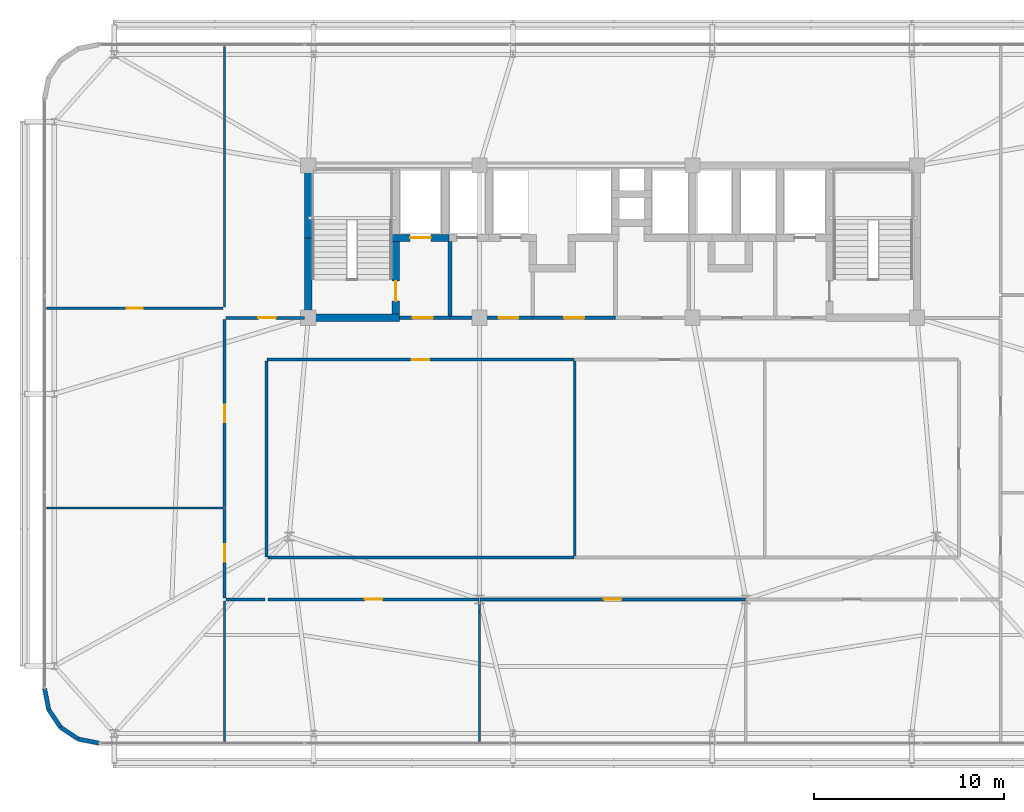
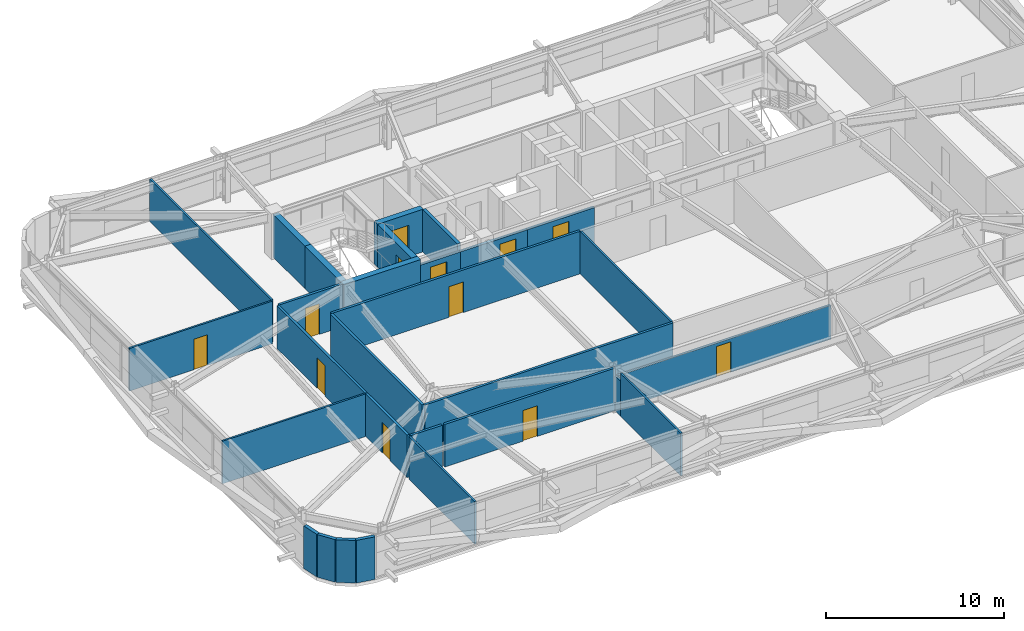
# One storey, part 39 of 44: 29 walls, 12 doors, 12 openings.
"""IFC4 building model written with IfcOpenShell, lengths in metres."""

import ifcopenshell
import ifcopenshell.guid

model = None  # the IFC model being written
_history = None  # IfcOwnerHistory: only IFC2X3 demands one
_inside = {}  # id of a spatial element -> (the spatial element, [elements in it])
_under = {}  # id of a project, library or spatial element -> (it, [spatial elements below it])
_declared = {}  # id of a project -> (the project, [libraries it declares])
_typed = {}  # id of a type object -> (the type object, [elements of that type])
_made_of = {}  # id of a material, layer set ... -> (it, [elements and type objects made of it])


def new_model(schema):
    """Start an empty IFC model of exactly this schema.

    Asked for "IFC4X3", IfcOpenShell would pick the latest addendum, in which some entities
    have other attributes; the version numbers below select the first issue.
    IFC2X3 requires an IfcOwnerHistory on every rooted entity: one is made here for all.
    """
    global model, _history
    if schema == "IFC4X3":
        model = ifcopenshell.file(schema_version=(4, 3, 0, 0))
    else:
        model = ifcopenshell.file(schema=schema)
    _inside.clear()
    _under.clear()
    _declared.clear()
    _typed.clear()
    _made_of.clear()
    _history = None
    if model.schema == "IFC2X3":
        org = make("IfcOrganization", Name="unknown")
        user = make(
            "IfcPersonAndOrganization",
            ThePerson=make("IfcPerson", FamilyName="unknown"),
            TheOrganization=org,
        )
        app = make(
            "IfcApplication",
            ApplicationDeveloper=org,
            Version="unknown",
            ApplicationFullName="unknown",
            ApplicationIdentifier="unknown",
        )
        _history = make(
            "IfcOwnerHistory",
            OwningUser=user,
            OwningApplication=app,
            ChangeAction="ADDED",
            CreationDate=0,
        )
    return model


def make(cls, **values):
    """One entity of the class cls with the attributes given. An attribute that is None is left unset."""
    return model.create_entity(
        cls, **{name: value for name, value in values.items() if value is not None}
    )


def rooted(cls, **values):
    """An entity with a GlobalId (a new one), such as an element, a storey or a relation."""
    return make(cls, GlobalId=ifcopenshell.guid.new(), OwnerHistory=_history, **values)


def si_unit(unit_type, name, prefix=None):
    """IfcSIUnit, for example si_unit("LENGTHUNIT", "METRE", prefix="MILLI")."""
    return make("IfcSIUnit", UnitType=unit_type, Prefix=prefix, Name=name)


def assignment(units):
    """IfcUnitAssignment: the units of a project."""
    return None if units is None else make("IfcUnitAssignment", Units=units)


def point(xyz):
    """IfcCartesianPoint."""
    return None if xyz is None else make("IfcCartesianPoint", Coordinates=xyz)


def direction(xyz):
    """IfcDirection."""
    return None if xyz is None else make("IfcDirection", DirectionRatios=xyz)


def frame(location, z_axis=None, x_axis=None):
    """IfcAxis2Placement3D, a coordinate frame: its origin and axes. An axis left out is left unset."""
    return make(
        "IfcAxis2Placement3D",
        Location=point(location),
        Axis=direction(z_axis),
        RefDirection=direction(x_axis),
    )


def frame_2d(location, x_axis=None):
    """IfcAxis2Placement2D, a coordinate frame in the plane: its origin and x axis."""
    return make(
        "IfcAxis2Placement2D", Location=point(location), RefDirection=direction(x_axis)
    )


def origin():
    """The frame at (0, 0, 0) with its axes left unset."""
    return frame((0.0, 0.0, 0.0))


def place(relative_to, where):
    """IfcLocalPlacement: puts the frame where relative to a parent placement (None: the world)."""
    return make(
        "IfcLocalPlacement", PlacementRelTo=relative_to, RelativePlacement=where
    )


def context(
    kind, dimensions, precision=None, world=None, true_north=None, identifier=None
):
    """IfcGeometricRepresentationContext, for example the 3D "Model" context."""
    return make(
        "IfcGeometricRepresentationContext",
        ContextIdentifier=identifier,
        ContextType=kind,
        CoordinateSpaceDimension=dimensions,
        Precision=precision,
        WorldCoordinateSystem=world,
        TrueNorth=true_north,
    )


def subcontext(parent, identifier, kind, view, scale=None):
    """IfcGeometricRepresentationSubContext, for example "Body" below "Model"."""
    return make(
        "IfcGeometricRepresentationSubContext",
        ContextIdentifier=identifier,
        ContextType=kind,
        ParentContext=parent,
        TargetScale=scale,
        TargetView=view,
    )


def project(units=None, contexts=None):
    """IfcProject with its units and contexts."""
    return rooted(
        "IfcProject",
        Name="project",
        RepresentationContexts=contexts,
        UnitsInContext=assignment(units),
    )


def spatial(cls, under=None, at=None, **own):
    """A site, building, storey or space (cls), placed at a placement, below another one or the project."""
    s = rooted(cls, ObjectPlacement=at, **own)
    if under is not None:
        _under.setdefault(under.id(), (under, []))[1].append(s)
    return s


def profile(cls, at=None, kind="AREA", **sizes):
    """A parametric profile (cls). Its sizes go by their IFC names, for example OverallWidth=200.0."""
    return make(cls, ProfileType=kind, Position=at, **sizes)


def rectangle(**sizes):
    """IfcRectangleProfileDef."""
    return profile("IfcRectangleProfileDef", **sizes)


def extrude(swept, where, along, depth):
    """IfcExtrudedAreaSolid: the profile swept, set in the frame where, extruded along a direction by depth."""
    return make(
        "IfcExtrudedAreaSolid",
        SweptArea=swept,
        Position=where,
        ExtrudedDirection=direction(along),
        Depth=depth,
    )


def shape(context_of_items, identifier, shape_type, items):
    """IfcShapeRepresentation: the items that make up one representation, for example the "Body"."""
    return make(
        "IfcShapeRepresentation",
        ContextOfItems=context_of_items,
        RepresentationIdentifier=identifier,
        RepresentationType=shape_type,
        Items=items,
    )


def source(mapping_origin, context_of_items, identifier, shape_type, items):
    """IfcRepresentationMap: a shape defined once, which mapped items show again and again."""
    return make(
        "IfcRepresentationMap",
        MappingOrigin=mapping_origin,
        MappedRepresentation=shape(context_of_items, identifier, shape_type, items),
    )


def transform(
    local_origin,
    x_axis=None,
    y_axis=None,
    z_axis=None,
    scale=None,
    scale2=None,
    scale3=None,
    uniform=True,
):
    """IfcCartesianTransformationOperator3D, or its non-uniform kind. x_axis, y_axis, z_axis: its Axis1, 2, 3."""
    if uniform:
        return make(
            "IfcCartesianTransformationOperator3D",
            Axis1=direction(x_axis),
            Axis2=direction(y_axis),
            LocalOrigin=point(local_origin),
            Scale=scale,
            Axis3=direction(z_axis),
        )
    return make(
        "IfcCartesianTransformationOperator3DnonUniform",
        Axis1=direction(x_axis),
        Axis2=direction(y_axis),
        LocalOrigin=point(local_origin),
        Scale=scale,
        Axis3=direction(z_axis),
        Scale2=scale2,
        Scale3=scale3,
    )


def mapped(mapping_source, mapping_target):
    """IfcMappedItem: shows the shape of a source again, moved by a transform."""
    return make(
        "IfcMappedItem", MappingSource=mapping_source, MappingTarget=mapping_target
    )


def material(Name=None, Category=None):
    """IfcMaterial."""
    return make("IfcMaterial", Name=Name, Category=Category)


def layer(
    of_material, thickness, ventilated=None, Name=None, Category=None, Priority=None
):
    """IfcMaterialLayer: one layer of a wall or slab, of a material (None: an air gap)."""
    return make(
        "IfcMaterialLayer",
        Material=of_material,
        LayerThickness=thickness,
        IsVentilated=ventilated,
        Name=Name,
        Category=Category,
        Priority=Priority,
    )


def layer_set(layers, Name=None):
    """IfcMaterialLayerSet."""
    return make("IfcMaterialLayerSet", MaterialLayers=layers, LayerSetName=Name)


def made_of(thing, what):
    """Note that an element or type object is made of a material, layer set ...; save() writes the relation."""
    if what is not None:
        _made_of.setdefault(what.id(), (what, []))[1].append(thing)
    return thing


def type_object(cls, material=None, **own):
    """A type object (cls), such as IfcWallType, which elements share."""
    return made_of(rooted(cls, **own), material)


def element(
    cls,
    number,
    at=None,
    inside=None,
    cuts=None,
    type_object=None,
    material=None,
    context=None,
    identifier="Body",
    shape_type=None,
    held_by="IfcProductDefinitionShape",
    body=None,
    shapes=None,
    **own,
):
    """One element of the class cls, such as IfcWall. Its Tag is "e" and its number.

    at: its placement. inside: the storey or other place that contains it. cuts: it is an
    opening in that element (IfcRelVoidsElement). A single representation is given by context,
    identifier, shape_type and body (its items); several are given by shapes. held_by: the class
    of the entity that holds the representations. save() writes the other relations.
    """
    e = rooted(cls, Tag="e%d" % number, ObjectPlacement=at, **own)
    if body is not None:
        shapes = [shape(context, identifier, shape_type, body)]
    if shapes is not None:
        e.Representation = make(held_by, Representations=shapes)
    if inside is not None:
        _inside.setdefault(inside.id(), (inside, []))[1].append(e)
    if cuts is not None:
        rooted(
            "IfcRelVoidsElement", RelatingBuildingElement=cuts, RelatedOpeningElement=e
        )
    if type_object is not None:
        _typed.setdefault(type_object.id(), (type_object, []))[1].append(e)
    return made_of(e, material)


def fill(opening, filler):
    """IfcRelFillsElement: the door or window that sits in an opening."""
    return rooted(
        "IfcRelFillsElement",
        RelatingOpeningElement=opening,
        RelatedBuildingElement=filler,
    )


def aggregate(whole, parts):
    """IfcRelAggregates: a whole, such as a stair, and the parts it consists of."""
    return rooted("IfcRelAggregates", RelatingObject=whole, RelatedObjects=parts)


def save(model, path):
    """Write the relations noted so far, then the file.

    IfcRelAggregates (storeys below a building ...), IfcRelContainedInSpatialStructure (elements
    in a storey), IfcRelDefinesByType, IfcRelAssociatesMaterial and IfcRelDeclares: one each for
    every whole, place, type object, material and project.
    """
    for whole, parts in _under.values():
        aggregate(whole, parts)
    for where, things in _inside.values():
        rooted(
            "IfcRelContainedInSpatialStructure",
            RelatedElements=things,
            RelatingStructure=where,
        )
    for kind, things in _typed.values():
        rooted("IfcRelDefinesByType", RelatedObjects=things, RelatingType=kind)
    for what, things in _made_of.values():
        rooted("IfcRelAssociatesMaterial", RelatedObjects=things, RelatingMaterial=what)
    for by, libraries in _declared.values():
        rooted("IfcRelDeclares", RelatingContext=by, RelatedDefinitions=libraries)
    model.write(path)


model = new_model("IFC4")

# Units and contexts
model_context = context("Model", 3, precision=1e-05, world=origin(), true_north=direction((0.0, 1.0)))
body_context = subcontext(model_context, "Body", "Model", "MODEL_VIEW")
ifc_project = project(units=[si_unit("LENGTHUNIT", "METRE"), si_unit("AREAUNIT", "SQUARE_METRE"), si_unit("VOLUMEUNIT", "CUBIC_METRE"), si_unit("PLANEANGLEUNIT", "RADIAN"), si_unit("MASSUNIT", "GRAM", prefix="KILO")], contexts=[model_context])

# Site, building, storey
site_placement = place(None, origin())
site = spatial("IfcSite", under=ifc_project, at=site_placement, CompositionType="ELEMENT")
building_placement = place(site_placement, origin())
building = spatial("IfcBuilding", under=site, at=building_placement, Name="Taldren Reach Tower", CompositionType="ELEMENT")
storey_placement = place(building_placement, frame((0.0, 0.0, 38.85009765625)))
storey = spatial("IfcBuildingStorey", under=building, at=storey_placement, Name="L11", CompositionType="ELEMENT", Elevation=38.85009765625)

# Walls
ifc_material_1 = material(Name="Pale Champagne Anodised Aluminium Cladding", Category="aluminium")
ifc_layer_1 = layer(ifc_material_1, 0.04, Name="Pale Champagne Anodised Aluminium Cladding", Category="aluminium")
ifc_material_2 = material(Name="Mineral Wool Acoustic Insulation", Category="insulation")
ifc_layer_2 = layer(ifc_material_2, 0.06, Name="Mineral Wool Acoustic Insulation", Category="insulation")
ifc_material_3 = material(Name="Steel Gr 350 (C350L0)", Category="steel")
ifc_layer_3 = layer(ifc_material_3, 0.12, Name="Steel Gr 350 (C350L0)", Category="steel")
ifc_layer_set_1 = layer_set([ifc_layer_1, ifc_layer_2, ifc_layer_3], Name="Pale Champagne Aluminium Cladding and Steel Gr 350 Stud Framing")
wall_type_1 = type_object("IfcWallType", Name="EW-CRN-220", PredefinedType="SOLIDWALL", material=ifc_layer_set_1)
shared_shape_1 = source(origin(), body_context, "Body", "SweptSolid", [
    extrude(rectangle(XDim=1.115966796875, YDim=0.219970703125, at=frame_2d((0.55810546875, 0.0))), origin(), (0.0, 0.0, 1.0), 2.929931640625),
])
for number, where, z_axis, x_axis, name in (
    (1, (5.139892578125, 4.5, 0.0), (0.0, 0.0, 1.0), (0.195148375659, -0.98077373103, 0.0), "Rounded-corner pale-metal facade wall L11-SW1"),
    (2, (5.357666015625, 3.405517578125, 0.0), (0.0, 0.0, 1.0), (0.555709556774, -0.83137650226, 0.0), "Rounded-corner pale-metal facade wall L11-SW2"),
    (3, (5.977783203125, 2.477783203125, 0.0), (0.0, 0.0, 1.0), (0.83137650226, -0.555709556774, 0.0), "Rounded-corner pale-metal facade wall L11-SW3"),
    (4, (6.905517578125, 1.857666015625, 0.0), (0.0, 0.0, 1.0), (0.98077373103, -0.195148375659, 0.0), "Rounded-corner pale-metal facade wall L11-SW4"),
):
    element("IfcWall", number, at=place(storey_placement, frame(where, z_axis=z_axis, x_axis=x_axis)), inside=storey, type_object=wall_type_1, Name=name, PredefinedType="SOLIDWALL", context=body_context, shape_type="MappedRepresentation", body=[
        mapped(shared_shape_1, transform((0.0, 0.0, 0.0), scale=1.0)),
    ])
ifc_material_4 = material(Name="Concrete S80 (80 MPa)", Category="concrete")
ifc_layer_4 = layer(ifc_material_4, 0.3798828125)
ifc_layer_set_2 = layer_set([ifc_layer_4], Name="Concrete S80 (80 MPa)")
wall_type_2 = type_object("IfcWallType", Name="IW-CORE-380", PredefinedType="SHEAR", material=ifc_layer_set_2)
shared_shape_2 = source(origin(), body_context, "Body", "SweptSolid", [
    extrude(rectangle(XDim=4.010009765625, YDim=0.3798828125, at=frame_2d((2.0048828125, 0.0))), origin(), (0.0, 0.0, 1.0), 2.929931640625),
])
wall_1_placement = place(storey_placement, frame((19.0, 24.18994140625, 0.0), z_axis=(0.0, 0.0, 1.0), x_axis=(0.0, 1.0, 0.0)))
element("IfcWall", 5, at=wall_1_placement, inside=storey, type_object=wall_type_2, Name="Rear Core Shear Wall W-CORE-L11-WEST1", PredefinedType="SHEAR", context=body_context, shape_type="MappedRepresentation", body=[
    mapped(shared_shape_2, transform((0.0, 0.0, 0.0), scale=1.0)),
])
shared_shape_3 = source(origin(), body_context, "Body", "SweptSolid", [
    extrude(rectangle(XDim=3.610107421875, YDim=0.3798828125, at=frame_2d((1.80517578125, 0.0))), origin(), (0.0, 0.0, 1.0), 2.929931640625),
])
wall_2_placement = place(storey_placement, frame((19.0, 28.199951171875, 0.0), z_axis=(0.0, 0.0, 1.0), x_axis=(0.0, 1.0, 0.0)))
element("IfcWall", 6, at=wall_2_placement, inside=storey, type_object=wall_type_2, Name="Rear Core Shear Wall W-CORE-L11-WEST2", PredefinedType="SHEAR", context=body_context, shape_type="MappedRepresentation", body=[
    mapped(shared_shape_3, transform((0.0, 0.0, 0.0), scale=1.0)),
])

# Wall, opening, door
shared_shape_4 = source(origin(), body_context, "Body", "SweptSolid", [
    extrude(rectangle(XDim=3.820068359375, YDim=0.3798828125, at=frame_2d((1.91015625, 0.0))), origin(), (0.0, 0.0, 1.0), 2.929931640625),
])
wall_3_placement = place(storey_placement, frame((23.60009765625, 24.18994140625, 0.0), z_axis=(0.0, 0.0, 1.0), x_axis=(0.0, 1.0, 0.0)))
wall_3 = element("IfcWall", 7, at=wall_3_placement, inside=storey, type_object=wall_type_2, Name="Rear Core Shear Wall W-INT-L11-002", PredefinedType="SHEAR", context=body_context, shape_type="MappedRepresentation", body=[
    mapped(shared_shape_4, transform((0.0, 0.0, 0.0), scale=1.0)),
])
shared_shape_5 = source(origin(), body_context, "Body", "SweptSolid", [
    extrude(rectangle(XDim=1.050048828125, YDim=2.10009765625, at=frame_2d((0.52490234375, 1.050048828125))), frame((0.0, 0.199951171875, 0.0), z_axis=(0.0, -1.0, 0.0), x_axis=(1.0, 0.0, 0.0)), (0.0, 0.0, 1.0), 0.39990234375),
])
opening_1_placement = place(wall_3_placement, frame((0.68505859375, 0.0, 0.0)))
opening_1 = element("IfcOpeningElement", 8, at=opening_1_placement, cuts=wall_3, Name="Opening DF-105", PredefinedType="OPENING", context=body_context, shape_type="MappedRepresentation", body=[
    mapped(shared_shape_5, transform((0.0, 0.0, 0.0), scale=1.0)),
])
ifc_material_5 = material(Name="Fire-Rated Care and Stair Exit Door")
door_type_1 = type_object("IfcDoorType", Name="ID-FIRE-105", OperationType="NOTDEFINED", PredefinedType="DOOR", material=ifc_material_5)
shared_shape_6 = source(origin(), body_context, "Body", "SweptSolid", [
    extrude(rectangle(XDim=1.050048828125, YDim=2.10009765625, at=frame_2d((0.52490234375, 1.050048828125))), frame((0.0, 0.02490234375, 0.0), z_axis=(0.0, -1.0, 0.0), x_axis=(1.0, 0.0, 0.0)), (0.0, 0.0, 1.0), 0.050048828125),
])
door_1_placement = place(opening_1_placement, origin())
door_1 = element("IfcDoor", 9, at=door_1_placement, inside=storey, type_object=door_type_1, Name="Fire Exit Stair Door DR-L11-001", OperationType="SINGLE_SWING_LEFT", OverallHeight=2.10009765625, OverallWidth=1.050048828125, PredefinedType="DOOR", context=body_context, shape_type="MappedRepresentation", body=[
    mapped(shared_shape_6, transform((0.0, 0.0, 0.0), scale=1.0)),
])
fill(opening_1, door_1)

# Wall
shared_shape_7 = source(origin(), body_context, "Body", "SweptSolid", [
    extrude(rectangle(XDim=4.97998046875, YDim=0.3798828125, at=frame_2d((2.489990234375, 0.0))), origin(), (0.0, 0.0, 1.0), 2.929931640625),
])
wall_4_placement = place(storey_placement, frame((18.81005859375, 24.0, 0.0), z_axis=(0.0, 0.0, 1.0), x_axis=(1.0, 0.0, 0.0)))
element("IfcWall", 10, at=wall_4_placement, inside=storey, type_object=wall_type_2, Name="Rear Core Shear Wall W-INT-L11-003", PredefinedType="SHEAR", context=body_context, shape_type="MappedRepresentation", body=[
    mapped(shared_shape_7, transform((0.0, 0.0, 0.0), scale=1.0)),
])

# Wall, opening, door
shared_shape_8 = source(origin(), body_context, "Body", "SweptSolid", [
    extrude(rectangle(XDim=2.97998046875, YDim=0.3798828125, at=frame_2d((1.489990234375, 0.0))), origin(), (0.0, 0.0, 1.0), 2.929931640625),
])
wall_5_placement = place(storey_placement, frame((23.409912109375, 28.199951171875, 0.0), z_axis=(0.0, 0.0, 1.0), x_axis=(1.0, 0.0, 0.0)))
wall_5 = element("IfcWall", 11, at=wall_5_placement, inside=storey, type_object=wall_type_2, Name="Rear Core Shear Wall W-INT-L11-004", PredefinedType="SHEAR", context=body_context, shape_type="MappedRepresentation", body=[
    mapped(shared_shape_8, transform((0.0, 0.0, 0.0), scale=1.0)),
])
shared_shape_9 = source(origin(), body_context, "Body", "SweptSolid", [
    extrude(rectangle(XDim=1.10009765625, YDim=2.14990234375, at=frame_2d((0.550048828125, 1.074951171875))), frame((0.0, 0.199951171875, 0.0), z_axis=(0.0, -1.0, 0.0), x_axis=(1.0, 0.0, 0.0)), (0.0, 0.0, 1.0), 0.39990234375),
])
opening_2_placement = place(wall_5_placement, frame((0.93994140625, 0.0, 0.0)))
opening_2 = element("IfcOpeningElement", 12, at=opening_2_placement, cuts=wall_5, Name="Opening LD-FL1", PredefinedType="OPENING", context=body_context, shape_type="MappedRepresentation", body=[
    mapped(shared_shape_9, transform((0.0, 0.0, 0.0), scale=1.0)),
])
ifc_material_6 = material(Name="Stainless Steel Gr 316 Emergency Lift Landing Door", Category="steel")
door_type_2 = type_object("IfcDoorType", Name="LD-EMG-110", OperationType="SLIDING_TO_LEFT", PredefinedType="DOOR", material=ifc_material_6)
shared_shape_10 = source(origin(), body_context, "Body", "SweptSolid", [
    extrude(rectangle(XDim=1.10009765625, YDim=2.14990234375, at=frame_2d((0.550048828125, 1.074951171875))), frame((0.0, 0.02490234375, 0.0), z_axis=(0.0, -1.0, 0.0), x_axis=(1.0, 0.0, 0.0)), (0.0, 0.0, 1.0), 0.050048828125),
])
door_2_placement = place(opening_2_placement, origin())
door_2 = element("IfcDoor", 13, at=door_2_placement, inside=storey, type_object=door_type_2, Name="Lift Landing Door LD-FL1-L11", OperationType="SLIDING_TO_LEFT", OverallHeight=2.14990234375, OverallWidth=1.10009765625, PredefinedType="DOOR", context=body_context, shape_type="MappedRepresentation", body=[
    mapped(shared_shape_10, transform((0.0, 0.0, 0.0), scale=1.0)),
])
fill(opening_2, door_2)

# Wall
ifc_material_7 = material(Name="Concrete S50 (50 MPa)", Category="concrete")
ifc_layer_5 = layer(ifc_material_7, 0.199951171875)
ifc_layer_set_3 = layer_set([ifc_layer_5], Name="Concrete S50 (50 MPa)")
wall_type_3 = type_object("IfcWallType", Name="IW-CORE-200", PredefinedType="SOLIDWALL", material=ifc_layer_set_3)
shared_shape_11 = source(origin(), body_context, "Body", "SweptSolid", [
    extrude(rectangle(XDim=3.909912109375, YDim=0.199951171875, at=frame_2d((1.955078125, 0.0))), origin(), (0.0, 0.0, 1.0), 2.929931640625),
])
wall_6_placement = place(storey_placement, frame((26.449951171875, 24.10009765625, 0.0), z_axis=(0.0, 0.0, 1.0), x_axis=(0.0, 1.0, 0.0)))
element("IfcWall", 14, at=wall_6_placement, inside=storey, type_object=wall_type_3, Name="Rear Core Shear Wall W-INT-L11-006", PredefinedType="SOLIDWALL", context=body_context, shape_type="MappedRepresentation", body=[
    mapped(shared_shape_11, transform((0.0, 0.0, 0.0), scale=1.0)),
])

# Wall, opening, door
shared_shape_12 = source(origin(), body_context, "Body", "SweptSolid", [
    extrude(rectangle(XDim=2.659912109375, YDim=0.199951171875, at=frame_2d((1.330078125, 0.0))), origin(), (0.0, 0.0, 1.0), 2.469970703125),
])
wall_7_placement = place(storey_placement, frame((23.7900390625, 24.0, 0.0), z_axis=(0.0, 0.0, 1.0), x_axis=(1.0, 0.0, 0.0)))
wall_7 = element("IfcWall", 15, at=wall_7_placement, inside=storey, type_object=wall_type_3, Name="Rear Core Shear Wall W-INT-L11-007", PredefinedType="SOLIDWALL", context=body_context, shape_type="MappedRepresentation", body=[
    mapped(shared_shape_12, transform((0.0, 0.0, 0.0), scale=1.0)),
])
shared_shape_13 = source(origin(), body_context, "Body", "SweptSolid", [
    extrude(rectangle(XDim=1.050048828125, YDim=2.10009765625, at=frame_2d((0.52490234375, 1.050048828125))), frame((0.0, 0.10986328125, 0.0), z_axis=(0.0, -1.0, 0.0), x_axis=(1.0, 0.0, 0.0)), (0.0, 0.0, 1.0), 0.219970703125),
])
opening_3_placement = place(wall_7_placement, frame((0.7099609375, 0.0, 0.0)))
opening_3 = element("IfcOpeningElement", 16, at=opening_3_placement, cuts=wall_7, Name="Opening DF-105", PredefinedType="OPENING", context=body_context, shape_type="MappedRepresentation", body=[
    mapped(shared_shape_13, transform((0.0, 0.0, 0.0), scale=1.0)),
])
door_3_placement = place(opening_3_placement, origin())
door_3 = element("IfcDoor", 17, at=door_3_placement, inside=storey, type_object=door_type_1, Name="Interior Door DR-L11-002", OperationType="SINGLE_SWING_LEFT", OverallHeight=2.10009765625, OverallWidth=1.050048828125, PredefinedType="DOOR", context=body_context, shape_type="MappedRepresentation", body=[
    mapped(shared_shape_6, transform((0.0, 0.0, 0.0), scale=1.0)),
])
fill(opening_3, door_3)

shared_shape_14 = source(origin(), body_context, "Body", "SweptSolid", [
    extrude(rectangle(XDim=4.35009765625, YDim=0.199951171875, at=frame_2d((2.175048828125, 0.0))), origin(), (0.0, 0.0, 1.0), 2.469970703125),
])
wall_8_placement = place(storey_placement, frame((30.800048828125, 24.0, 0.0), z_axis=(0.0, 0.0, 1.0), x_axis=(-1.0, 0.0, 0.0)))
wall_8 = element("IfcWall", 18, at=wall_8_placement, inside=storey, type_object=wall_type_3, Name="Rear Core Shear Wall W-INT-L11-033", PredefinedType="SOLIDWALL", context=body_context, shape_type="MappedRepresentation", body=[
    mapped(shared_shape_14, transform((0.0, 0.0, 0.0), scale=1.0)),
])
opening_4_placement = place(wall_8_placement, frame((0.75, 0.0, 0.0)))
opening_4 = element("IfcOpeningElement", 19, at=opening_4_placement, cuts=wall_8, Name="Opening DF-105", PredefinedType="OPENING", context=body_context, shape_type="MappedRepresentation", body=[
    mapped(shared_shape_13, transform((0.0, 0.0, 0.0), scale=1.0)),
])
door_4_placement = place(opening_4_placement, frame((1.050048828125, 0.0, 0.0), z_axis=(0.0, 0.0, 1.0), x_axis=(-1.0, 0.0, 0.0)))
door_4 = element("IfcDoor", 20, at=door_4_placement, inside=storey, type_object=door_type_1, Name="Interior Door DR-L11-005", OperationType="SINGLE_SWING_RIGHT", OverallHeight=2.10009765625, OverallWidth=1.050048828125, PredefinedType="DOOR", context=body_context, shape_type="MappedRepresentation", body=[
    mapped(shared_shape_6, transform((0.0, 0.0, 0.0), scale=1.0)),
])
fill(opening_4, door_4)

# Walls
ifc_material_8 = material(Name="Fire-Rated Acoustic Plasterboard Stud Wall", Category="gypsum")
ifc_layer_6 = layer(ifc_material_8, 0.159912109375)
ifc_layer_set_4 = layer_set([ifc_layer_6], Name="Fire-Rated Acoustic Plasterboard Stud Wall")
wall_type_4 = type_object("IfcWallType", Name="IW-FIRE-160", PredefinedType="PARTITIONING", material=ifc_layer_set_4)
shared_shape_15 = source(origin(), body_context, "Body", "SweptSolid", [
    extrude(rectangle(XDim=10.2998046875, YDim=0.159912109375, at=frame_2d((5.14990234375, 0.0))), origin(), (0.0, 0.0, 1.0), 2.929931640625),
])
wall_9_placement = place(storey_placement, frame((16.800048828125, 21.719970703125, 0.0), z_axis=(0.0, 0.0, 1.0), x_axis=(0.0, -1.0, 0.0)))
element("IfcWall", 21, at=wall_9_placement, inside=storey, type_object=wall_type_4, Name="Interior Partition Wall W-INT-L11-048", PredefinedType="PARTITIONING", context=body_context, shape_type="MappedRepresentation", body=[
    mapped(shared_shape_15, transform((0.0, 0.0, 0.0), scale=1.0)),
])
shared_shape_16 = source(origin(), body_context, "Body", "SweptSolid", [
    extrude(rectangle(XDim=2.0400390625, YDim=0.159912109375, at=frame_2d((1.02001953125, 0.0))), origin(), (0.0, 0.0, 1.0), 2.929931640625),
])
wall_10_placement = place(storey_placement, frame((16.719970703125, 9.199951171875, 0.0), z_axis=(0.0, 0.0, 1.0), x_axis=(-1.0, 0.0, 0.0)))
element("IfcWall", 22, at=wall_10_placement, inside=storey, type_object=wall_type_4, Name="Interior Partition Wall W-INT-L11-052", PredefinedType="PARTITIONING", context=body_context, shape_type="MappedRepresentation", body=[
    mapped(shared_shape_16, transform((0.0, 0.0, 0.0), scale=1.0)),
])

# Wall, opening, door
shared_shape_17 = source(origin(), body_context, "Body", "SweptSolid", [
    extrude(rectangle(XDim=4.130126953125, YDim=0.159912109375, at=frame_2d((2.06494140625, 0.0))), origin(), (0.0, 0.0, 1.0), 2.929931640625),
])
wall_11_placement = place(storey_placement, frame((14.679931640625, 24.0, 0.0), z_axis=(0.0, 0.0, 1.0), x_axis=(1.0, 0.0, 0.0)))
wall_11 = element("IfcWall", 23, at=wall_11_placement, inside=storey, type_object=wall_type_4, Name="Interior Partition Wall W-INT-L11-058", PredefinedType="PARTITIONING", context=body_context, shape_type="MappedRepresentation", body=[
    mapped(shared_shape_17, transform((0.0, 0.0, 0.0), scale=1.0)),
])
shared_shape_18 = source(origin(), body_context, "Body", "SweptSolid", [
    extrude(rectangle(XDim=0.919921875, YDim=2.10009765625, at=frame_2d((0.4599609375, 1.050048828125))), frame((0.0, 0.08984375, 0.0), z_axis=(0.0, -1.0, 0.0), x_axis=(1.0, 0.0, 0.0)), (0.0, 0.0, 1.0), 0.179931640625),
])
opening_5_placement = place(wall_11_placement, frame((1.68994140625, 0.0, 0.0)))
opening_5 = element("IfcOpeningElement", 24, at=opening_5_placement, cuts=wall_11, Name="Opening DI-092", PredefinedType="OPENING", context=body_context, shape_type="MappedRepresentation", body=[
    mapped(shared_shape_18, transform((0.0, 0.0, 0.0), scale=1.0)),
])
ifc_material_9 = material(Name="Solid-Core Timber Suite Door", Category="wood")
door_type_3 = type_object("IfcDoorType", Name="ID-INT-092", OperationType="NOTDEFINED", PredefinedType="DOOR", material=ifc_material_9)
shared_shape_19 = source(origin(), body_context, "Body", "SweptSolid", [
    extrude(rectangle(XDim=0.919921875, YDim=2.10009765625, at=frame_2d((0.4599609375, 1.050048828125))), frame((0.0, 0.02490234375, 0.0), z_axis=(0.0, -1.0, 0.0), x_axis=(1.0, 0.0, 0.0)), (0.0, 0.0, 1.0), 0.050048828125),
])
door_5_placement = place(opening_5_placement, origin())
door_5 = element("IfcDoor", 25, at=door_5_placement, inside=storey, type_object=door_type_3, Name="Interior Door DR-L11-016", OperationType="SINGLE_SWING_LEFT", OverallHeight=2.10009765625, OverallWidth=0.919921875, PredefinedType="DOOR", context=body_context, shape_type="MappedRepresentation", body=[
    mapped(shared_shape_19, transform((0.0, 0.0, 0.0), scale=1.0)),
])
fill(opening_5, door_5)

shared_shape_20 = source(origin(), body_context, "Body", "SweptSolid", [
    extrude(rectangle(XDim=11.099853515625, YDim=0.159912109375, at=frame_2d((5.5498046875, 0.0))), origin(), (0.0, 0.0, 1.0), 2.929931640625),
])
wall_12_placement = place(storey_placement, frame((27.979736328125, 9.199951171875, 0.0), z_axis=(0.0, 0.0, 1.0), x_axis=(-1.0, 0.0, 0.0)))
wall_12 = element("IfcWall", 26, at=wall_12_placement, inside=storey, type_object=wall_type_4, Name="Interior Partition Wall W-INT-L11-063", PredefinedType="PARTITIONING", context=body_context, shape_type="MappedRepresentation", body=[
    mapped(shared_shape_20, transform((0.0, 0.0, 0.0), scale=1.0)),
])
opening_6_placement = place(wall_12_placement, frame((5.08984375, 0.0, 0.0)))
opening_6 = element("IfcOpeningElement", 27, at=opening_6_placement, cuts=wall_12, Name="Opening DI-092", PredefinedType="OPENING", context=body_context, shape_type="MappedRepresentation", body=[
    mapped(shared_shape_18, transform((0.0, 0.0, 0.0), scale=1.0)),
])
door_6_placement = place(opening_6_placement, origin())
door_6 = element("IfcDoor", 28, at=door_6_placement, inside=storey, type_object=door_type_3, Name="Interior Door DR-L11-017", OperationType="SINGLE_SWING_RIGHT", OverallHeight=2.10009765625, OverallWidth=0.919921875, PredefinedType="DOOR", context=body_context, shape_type="MappedRepresentation", body=[
    mapped(shared_shape_19, transform((0.0, 0.0, 0.0), scale=1.0)),
])
fill(opening_6, door_6)

shared_shape_21 = source(origin(), body_context, "Body", "SweptSolid", [
    extrude(rectangle(XDim=4.349853515625, YDim=0.199951171875, at=frame_2d((2.1748046875, 0.0))), origin(), (0.0, 0.0, 1.0), 2.469970703125),
])
wall_13_placement = place(storey_placement, frame((35.14990234375, 24.0, 0.0), z_axis=(0.0, 0.0, 1.0), x_axis=(-1.0, 0.0, 0.0)))
wall_13 = element("IfcWall", 29, at=wall_13_placement, inside=storey, type_object=wall_type_3, Name="Rear Core Shear Wall W-INT-L11-043", PredefinedType="SOLIDWALL", context=body_context, shape_type="MappedRepresentation", body=[
    mapped(shared_shape_21, transform((0.0, 0.0, 0.0), scale=1.0)),
])
opening_7_placement = place(wall_13_placement, frame((1.64990234375, 0.0, 0.0)))
opening_7 = element("IfcOpeningElement", 30, at=opening_7_placement, cuts=wall_13, Name="Opening DF-105", PredefinedType="OPENING", context=body_context, shape_type="MappedRepresentation", body=[
    mapped(shared_shape_13, transform((0.0, 0.0, 0.0), scale=1.0)),
])
door_7_placement = place(opening_7_placement, frame((1.050048828125, 0.0, 0.0), z_axis=(0.0, 0.0, 1.0), x_axis=(-1.0, 0.0, 0.0)))
door_7 = element("IfcDoor", 31, at=door_7_placement, inside=storey, type_object=door_type_1, Name="Interior Door DR-L11-006", OperationType="SINGLE_SWING_RIGHT", OverallHeight=2.10009765625, OverallWidth=1.050048828125, PredefinedType="DOOR", context=body_context, shape_type="MappedRepresentation", body=[
    mapped(shared_shape_6, transform((0.0, 0.0, 0.0), scale=1.0)),
])
fill(opening_7, door_7)

# Wall
ifc_material_10 = material(Name="Insulated Residential Stud Partition", Category="gypsum")
ifc_layer_7 = layer(ifc_material_10, 0.1201171875)
ifc_layer_set_5 = layer_set([ifc_layer_7], Name="Insulated Residential Stud Partition")
wall_type_5 = type_object("IfcWallType", Name="IW-PART-120", PredefinedType="PARTITIONING", material=ifc_layer_set_5)
shared_shape_22 = source(origin(), body_context, "Body", "SweptSolid", [
    extrude(rectangle(XDim=9.2900390625, YDim=0.1201171875, at=frame_2d((4.64501953125, 0.0))), origin(), (0.0, 0.0, 1.0), 2.929931640625),
])
wall_14_placement = place(storey_placement, frame((5.22998046875, 14.0, 0.0), z_axis=(0.0, 0.0, 1.0), x_axis=(1.0, 0.0, 0.0)))
element("IfcWall", 32, at=wall_14_placement, inside=storey, type_object=wall_type_5, Name="Interior Partition Wall W-INT-L11-072", PredefinedType="PARTITIONING", context=body_context, shape_type="MappedRepresentation", body=[
    mapped(shared_shape_22, transform((0.0, 0.0, 0.0), scale=1.0)),
])

# Wall, opening, door
wall_15_placement = place(storey_placement, frame((5.22998046875, 24.5, 0.0), z_axis=(0.0, 0.0, 1.0), x_axis=(1.0, 0.0, 0.0)))
wall_15 = element("IfcWall", 33, at=wall_15_placement, inside=storey, type_object=wall_type_5, Name="Interior Partition Wall W-INT-L11-073", PredefinedType="PARTITIONING", context=body_context, shape_type="MappedRepresentation", body=[
    mapped(shared_shape_22, transform((0.0, 0.0, 0.0), scale=1.0)),
])
shared_shape_23 = source(origin(), body_context, "Body", "SweptSolid", [
    extrude(rectangle(XDim=0.860107421875, YDim=2.10009765625, at=frame_2d((0.43017578125, 1.050048828125))), frame((0.0, 0.070068359375, 0.0), z_axis=(0.0, -1.0, 0.0), x_axis=(1.0, 0.0, 0.0)), (0.0, 0.0, 1.0), 0.14013671875),
])
opening_8_placement = place(wall_15_placement, frame((4.215087890625, 0.0, 0.0)))
opening_8 = element("IfcOpeningElement", 34, at=opening_8_placement, cuts=wall_15, Name="Opening DI-086", PredefinedType="OPENING", context=body_context, shape_type="MappedRepresentation", body=[
    mapped(shared_shape_23, transform((0.0, 0.0, 0.0), scale=1.0)),
])
ifc_material_11 = material(Name="Timber Bathroom Door", Category="wood")
door_type_4 = type_object("IfcDoorType", Name="ID-INT-086", OperationType="NOTDEFINED", PredefinedType="DOOR", material=ifc_material_11)
shared_shape_24 = source(origin(), body_context, "Body", "SweptSolid", [
    extrude(rectangle(XDim=0.860107421875, YDim=2.10009765625, at=frame_2d((0.43017578125, 1.050048828125))), frame((0.0, 0.02490234375, 0.0), z_axis=(0.0, -1.0, 0.0), x_axis=(1.0, 0.0, 0.0)), (0.0, 0.0, 1.0), 0.050048828125),
])
door_8_placement = place(opening_8_placement, frame((0.860107421875, 0.0, 0.0), z_axis=(0.0, 0.0, 1.0), x_axis=(-1.0, 0.0, 0.0)))
door_8 = element("IfcDoor", 35, at=door_8_placement, inside=storey, type_object=door_type_4, Name="Interior Door DR-L11-020", OperationType="SINGLE_SWING_RIGHT", OverallHeight=2.10009765625, OverallWidth=0.860107421875, PredefinedType="DOOR", context=body_context, shape_type="MappedRepresentation", body=[
    mapped(shared_shape_24, transform((0.0, 0.0, 0.0), scale=1.0)),
])
fill(opening_8, door_8)

shared_shape_25 = source(origin(), body_context, "Body", "SweptSolid", [
    extrude(rectangle(XDim=13.95947265625, YDim=0.159912109375, at=frame_2d((6.979736328125, 0.0))), origin(), (0.0, 0.0, 1.0), 2.327880859375),
])
wall_16_placement = place(storey_placement, frame((41.979736328125, 9.199951171875, 0.0), z_axis=(0.0, 0.0, 1.0), x_axis=(-1.0, 0.0, 0.0)))
wall_16 = element("IfcWall", 36, at=wall_16_placement, inside=storey, type_object=wall_type_4, Name="Interior Partition Wall W-INT-L11-064", PredefinedType="PARTITIONING", context=body_context, shape_type="MappedRepresentation", body=[
    mapped(shared_shape_25, transform((0.0, 0.0, 0.0), scale=1.0)),
])
opening_9_placement = place(wall_16_placement, frame((6.519775390625, 0.0, 0.0)))
opening_9 = element("IfcOpeningElement", 37, at=opening_9_placement, cuts=wall_16, Name="Opening DI-092", PredefinedType="OPENING", context=body_context, shape_type="MappedRepresentation", body=[
    mapped(shared_shape_18, transform((0.0, 0.0, 0.0), scale=1.0)),
])
door_9_placement = place(opening_9_placement, origin())
door_9 = element("IfcDoor", 38, at=door_9_placement, inside=storey, type_object=door_type_3, Name="Interior Door DR-L11-018", OperationType="SINGLE_SWING_LEFT", OverallHeight=2.10009765625, OverallWidth=0.919921875, PredefinedType="DOOR", context=body_context, shape_type="MappedRepresentation", body=[
    mapped(shared_shape_19, transform((0.0, 0.0, 0.0), scale=1.0)),
])
fill(opening_9, door_9)

# Wall
shared_shape_26 = source(origin(), body_context, "Body", "SweptSolid", [
    extrude(rectangle(XDim=10.239990234375, YDim=0.1201171875, at=frame_2d((5.1201171875, 0.0))), origin(), (0.0, 0.0, 1.0), 2.929931640625),
])
wall_17_placement = place(storey_placement, frame((33.0, 21.719970703125, 0.0), z_axis=(0.0, 0.0, 1.0), x_axis=(0.0, -1.0, 0.0)))
element("IfcWall", 39, at=wall_17_placement, inside=storey, type_object=wall_type_5, Name="Interior Partition Wall W-INT-L11-066", PredefinedType="PARTITIONING", context=body_context, shape_type="MappedRepresentation", body=[
    mapped(shared_shape_26, transform((0.0, 0.0, 0.0), scale=1.0)),
])

# Wall, opening, door
shared_shape_27 = source(origin(), body_context, "Body", "SweptSolid", [
    extrude(rectangle(XDim=16.159423828125, YDim=0.159912109375, at=frame_2d((8.07958984375, 0.0))), origin(), (0.0, 0.0, 1.0), 2.929931640625),
])
wall_18_placement = place(storey_placement, frame((32.979736328125, 21.800048828125, 0.0), z_axis=(0.0, 0.0, 1.0), x_axis=(-1.0, 0.0, 0.0)))
wall_18 = element("IfcWall", 40, at=wall_18_placement, inside=storey, type_object=wall_type_4, Name="Interior Partition Wall W-INT-L11-047", PredefinedType="PARTITIONING", context=body_context, shape_type="MappedRepresentation", body=[
    mapped(shared_shape_27, transform((0.0, 0.0, 0.0), scale=1.0)),
])
opening_10_placement = place(wall_18_placement, frame((7.619873046875, 0.0, 0.0)))
opening_10 = element("IfcOpeningElement", 41, at=opening_10_placement, cuts=wall_18, Name="Opening DI-092", PredefinedType="OPENING", context=body_context, shape_type="MappedRepresentation", body=[
    mapped(shared_shape_18, transform((0.0, 0.0, 0.0), scale=1.0)),
])
door_10_placement = place(opening_10_placement, origin())
door_10 = element("IfcDoor", 42, at=door_10_placement, inside=storey, type_object=door_type_3, Name="Interior Door DR-L11-009", OperationType="SINGLE_SWING_RIGHT", OverallHeight=2.10009765625, OverallWidth=0.919921875, PredefinedType="DOOR", context=body_context, shape_type="MappedRepresentation", body=[
    mapped(shared_shape_19, transform((0.0, 0.0, 0.0), scale=1.0)),
])
fill(opening_10, door_10)

shared_shape_28 = source(origin(), body_context, "Body", "SweptSolid", [
    extrude(rectangle(XDim=4.69970703125, YDim=0.159912109375, at=frame_2d((2.349853515625, 0.0))), origin(), (0.0, 0.0, 1.0), 2.929931640625),
])
wall_19_placement = place(storey_placement, frame((14.60009765625, 9.280029296875, 0.0), z_axis=(0.0, 0.0, 1.0), x_axis=(0.0, 1.0, 0.0)))
wall_19 = element("IfcWall", 43, at=wall_19_placement, inside=storey, type_object=wall_type_4, Name="Interior Partition Wall W-INT-L11-054", PredefinedType="PARTITIONING", context=body_context, shape_type="MappedRepresentation", body=[
    mapped(shared_shape_28, transform((0.0, 0.0, 0.0), scale=1.0)),
])
opening_11_placement = place(wall_19_placement, frame((1.889892578125, 0.0, 0.0)))
opening_11 = element("IfcOpeningElement", 44, at=opening_11_placement, cuts=wall_19, Name="Opening DI-092", PredefinedType="OPENING", context=body_context, shape_type="MappedRepresentation", body=[
    mapped(shared_shape_18, transform((0.0, 0.0, 0.0), scale=1.0)),
])
door_11_placement = place(opening_11_placement, origin())
door_11 = element("IfcDoor", 45, at=door_11_placement, inside=storey, type_object=door_type_3, Name="Interior Door DR-L11-012", OperationType="SINGLE_SWING_LEFT", OverallHeight=2.10009765625, OverallWidth=0.919921875, PredefinedType="DOOR", context=body_context, shape_type="MappedRepresentation", body=[
    mapped(shared_shape_19, transform((0.0, 0.0, 0.0), scale=1.0)),
])
fill(opening_11, door_11)

shared_shape_29 = source(origin(), body_context, "Body", "SweptSolid", [
    extrude(rectangle(XDim=9.899658203125, YDim=0.159912109375, at=frame_2d((4.94970703125, 0.0))), origin(), (0.0, 0.0, 1.0), 2.929931640625),
])
wall_20_placement = place(storey_placement, frame((14.60009765625, 14.020263671875, 0.0), z_axis=(0.0, 0.0, 1.0), x_axis=(0.0, 1.0, 0.0)))
wall_20 = element("IfcWall", 46, at=wall_20_placement, inside=storey, type_object=wall_type_4, Name="Interior Partition Wall W-INT-L11-055", PredefinedType="PARTITIONING", context=body_context, shape_type="MappedRepresentation", body=[
    mapped(shared_shape_29, transform((0.0, 0.0, 0.0), scale=1.0)),
])
opening_12_placement = place(wall_20_placement, frame((4.489990234375, 0.0, 0.0)))
opening_12 = element("IfcOpeningElement", 47, at=opening_12_placement, cuts=wall_20, Name="Opening DI-092", PredefinedType="OPENING", context=body_context, shape_type="MappedRepresentation", body=[
    mapped(shared_shape_18, transform((0.0, 0.0, 0.0), scale=1.0)),
])
door_12_placement = place(opening_12_placement, origin())
door_12 = element("IfcDoor", 48, at=door_12_placement, inside=storey, type_object=door_type_3, Name="Interior Door DR-L11-013", OperationType="SINGLE_SWING_RIGHT", OverallHeight=2.10009765625, OverallWidth=0.919921875, PredefinedType="DOOR", context=body_context, shape_type="MappedRepresentation", body=[
    mapped(shared_shape_19, transform((0.0, 0.0, 0.0), scale=1.0)),
])
fill(opening_12, door_12)

# Walls
shared_shape_30 = source(origin(), body_context, "Body", "SweptSolid", [
    extrude(rectangle(XDim=16.099853515625, YDim=0.159912109375, at=frame_2d((8.0498046875, 0.0))), origin(), (0.0, 0.0, 1.0), 2.929931640625),
])
wall_21_placement = place(storey_placement, frame((16.8798828125, 11.39990234375, 0.0), z_axis=(0.0, 0.0, 1.0), x_axis=(1.0, 0.0, 0.0)))
element("IfcWall", 49, at=wall_21_placement, inside=storey, type_object=wall_type_4, Name="Interior Partition Wall W-INT-L11-060", PredefinedType="PARTITIONING", context=body_context, shape_type="MappedRepresentation", body=[
    mapped(shared_shape_30, transform((0.0, 0.0, 0.0), scale=1.0)),
])
shared_shape_31 = source(origin(), body_context, "Body", "SweptSolid", [
    extrude(rectangle(XDim=0.589599609375, YDim=0.1201171875, at=frame_2d((0.294921875, 0.0))), origin(), (0.0, 0.0, 1.0), 2.39697265625),
])
wall_22_placement = place(storey_placement, frame((28.0, 9.117919921875, 0.0), z_axis=(0.0, 0.0, 1.0), x_axis=(0.0, -1.0, 0.0)))
element("IfcWall", 50, at=wall_22_placement, inside=storey, type_object=wall_type_5, Name="Interior Partition Wall W-INT-L11-068", PredefinedType="PARTITIONING", context=body_context, shape_type="MappedRepresentation", body=[
    mapped(shared_shape_31, transform((0.0, 0.0, 0.0), scale=1.0)),
])
shared_shape_32 = source(origin(), body_context, "Body", "SweptSolid", [
    extrude(rectangle(XDim=6.79638671875, YDim=0.1201171875, at=frame_2d((3.398193359375, 0.0))), origin(), (0.0, 0.0, 1.0), 2.929931640625),
])
wall_23_placement = place(storey_placement, frame((28.0, 8.5283203125, 0.0), z_axis=(0.0, 0.0, 1.0), x_axis=(0.0, -1.0, 0.0)))
element("IfcWall", 51, at=wall_23_placement, inside=storey, type_object=wall_type_5, Name="Interior Partition Wall W-INT-L11-068 part 2", PredefinedType="PARTITIONING", context=body_context, shape_type="MappedRepresentation", body=[
    mapped(shared_shape_32, transform((0.0, 0.0, 0.0), scale=1.0)),
])
shared_shape_33 = source(origin(), body_context, "Body", "SweptSolid", [
    extrude(rectangle(XDim=7.385986328125, YDim=0.1201171875, at=frame_2d((3.69287109375, 0.0))), origin(), (0.0, 0.0, 1.0), 2.929931640625),
])
wall_24_placement = place(storey_placement, frame((14.60009765625, 1.73193359375, 0.0), z_axis=(0.0, 0.0, 1.0), x_axis=(0.0, 1.0, 0.0)))
element("IfcWall", 52, at=wall_24_placement, inside=storey, type_object=wall_type_5, Name="Interior Partition Wall W-INT-L11-069", PredefinedType="PARTITIONING", context=body_context, shape_type="MappedRepresentation", body=[
    mapped(shared_shape_33, transform((0.0, 0.0, 0.0), scale=1.0)),
])
shared_shape_34 = source(origin(), body_context, "Body", "SweptSolid", [
    extrude(rectangle(XDim=13.68994140625, YDim=0.1201171875, at=frame_2d((6.844970703125, 0.0))), origin(), (0.0, 0.0, 1.0), 2.929931640625),
])
wall_25_placement = place(storey_placement, frame((14.60009765625, 38.27001953125, 0.0), z_axis=(0.0, 0.0, 1.0), x_axis=(0.0, -1.0, 0.0)))
element("IfcWall", 53, at=wall_25_placement, inside=storey, type_object=wall_type_5, Name="Interior Partition Wall W-INT-L11-074", PredefinedType="PARTITIONING", context=body_context, shape_type="MappedRepresentation", body=[
    mapped(shared_shape_34, transform((0.0, 0.0, 0.0), scale=1.0)),
])

save(model, "model.ifc")
